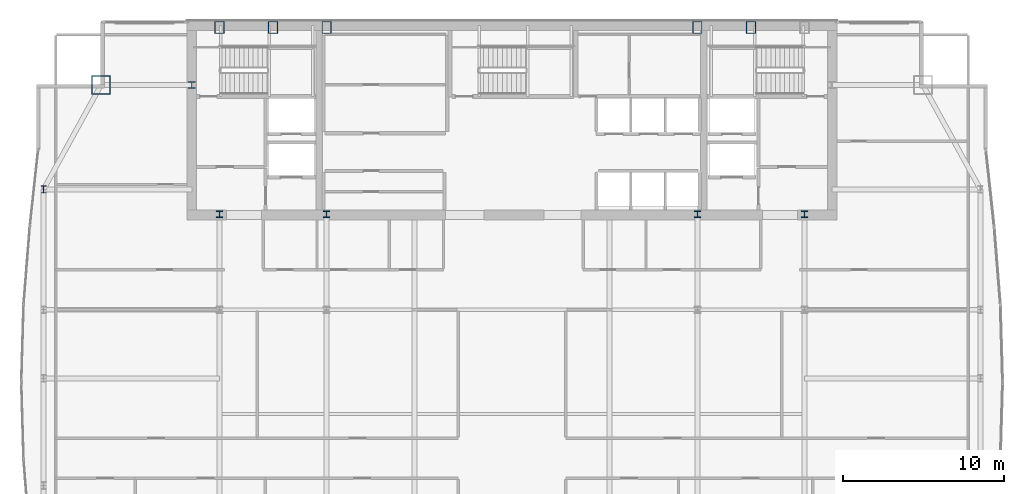
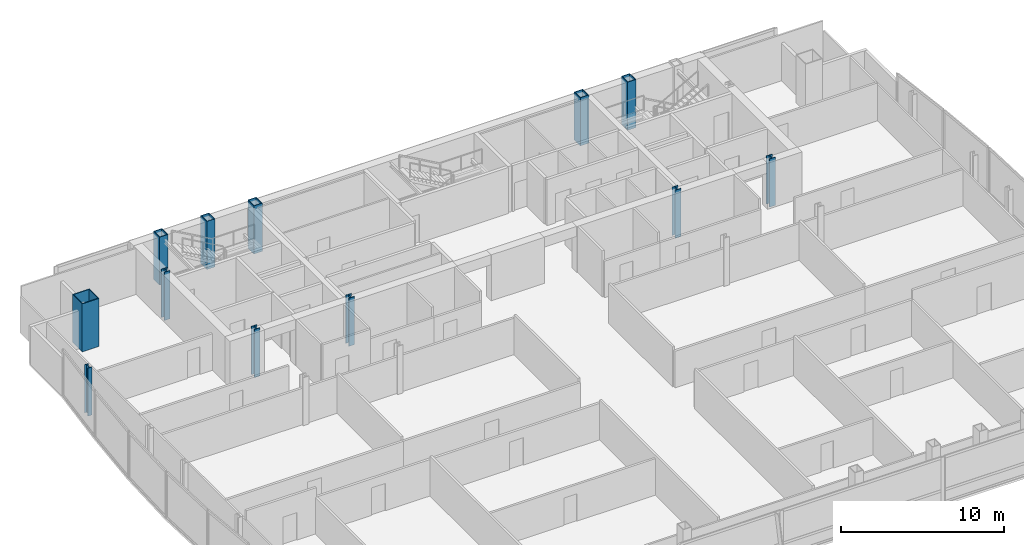
# One storey, part 3 of 32: 12 columns.
"""IFC4 building model written with IfcOpenShell, lengths in metres."""

from ifc_helpers import new_model, si_unit, direction, frame, origin, origin_2d, place, context, subcontext, project, spatial, hollow_rectangle, i_section, extrude, material, material_profile, profile_set, type_object, element, save


model = new_model("IFC4")

# Units and contexts
model_context = context("Model", 3, precision=1e-05, world=origin(), true_north=direction((0.0, 1.0)))
body_context = subcontext(model_context, "Body", "Model", "MODEL_VIEW")
ifc_project = project(units=[si_unit("LENGTHUNIT", "METRE"), si_unit("AREAUNIT", "SQUARE_METRE"), si_unit("VOLUMEUNIT", "CUBIC_METRE"), si_unit("PLANEANGLEUNIT", "RADIAN"), si_unit("MASSUNIT", "GRAM", prefix="KILO")], contexts=[model_context])

# Site, building, storey
site_placement = place(None, origin())
site = spatial("IfcSite", under=ifc_project, at=site_placement, CompositionType="ELEMENT")
building_placement = place(site_placement, origin())
building = spatial("IfcBuilding", under=site, at=building_placement, Name="Khoronbel Lancet Exchange", CompositionType="ELEMENT")
storey_placement = place(building_placement, frame((0.0, 0.0, 192.199951171875)))
storey = spatial("IfcBuildingStorey", under=building, at=storey_placement, Name="L48", CompositionType="ELEMENT", Elevation=192.199951171875)

# Columns
ifc_material_1 = material(Name="Steel S460", Category="steel")
ifc_material_profile_1 = material_profile(ifc_material_1, hollow_rectangle(XDim=0.60009765625, YDim=0.75, WallThickness=0.044921875, at=origin_2d()), Name="BOX 750x600x45")
ifc_profile_set_1 = profile_set([ifc_material_profile_1], Name="Steel S460")
column_type_1 = type_object("IfcColumnType", Name="COL-EC3", PredefinedType="COLUMN", material=ifc_profile_set_1)
for number, where, z_axis, x_axis, name in (
    (1, (18.22509765625, 53.280029296875, 0.0), (0.0, 0.0, 1.0), (1.0, 0.0, 0.0), "Structural column NC-W1 L48"),
    (2, (21.5625, 53.280029296875, 0.0), (0.0, 0.0, 1.0), (1.0, 0.0, 0.0), "Structural column NC-WM L48"),
    (3, (24.89990234375, 53.280029296875, 0.0), (0.0, 0.0, 1.0), (1.0, 0.0, 0.0), "Structural column NC-W2 L48"),
    (4, (48.0, 53.280029296875, 0.0), (0.0, 0.0, 1.0), (1.0, 0.0, 0.0), "Structural column NC-E1 L48"),
    (5, (51.33740234375, 53.280029296875, 0.0), (0.0, 0.0, 1.0), (1.0, 0.0, 0.0), "Structural column NC-EM L48"),
):
    element("IfcColumn", number, at=place(storey_placement, frame(where, z_axis=z_axis, x_axis=x_axis)), inside=storey, type_object=column_type_1, Name=name, PredefinedType="COLUMN", context=body_context, shape_type="SweptSolid", body=[
        extrude(hollow_rectangle(XDim=0.60009765625, YDim=0.75, WallThickness=0.044921875, at=origin_2d()), origin(), (0.0, 0.0, 1.0), 3.60009765625),
    ])
ifc_material_2 = material(Name="Steel S355", Category="steel")
ifc_material_profile_2 = material_profile(ifc_material_2, i_section(OverallWidth=0.406005859375, OverallDepth=0.416015625, WebThickness=0.02978515625, FlangeThickness=0.048095703125, at=origin_2d()), Name="HD 400x382")
ifc_profile_set_2 = profile_set([ifc_material_profile_2], Name="Steel S355")
column_type_2 = type_object("IfcColumnType", Name="COL-IC3", PredefinedType="COLUMN", material=ifc_profile_set_2)
for number, where, z_axis, x_axis, name in (
    (6, (16.5, 49.699951171875, 0.0), (0.0, 0.0, 1.0), (1.0, 0.0, 0.0), "Core-flank plumb transfer column CFW L48"),
    (7, (18.22509765625, 41.64990234375, 0.0), (0.0, 0.0, 1.0), (1.0, 0.0, 0.0), "Core-embedded steel column CTC1 L48"),
    (8, (24.89990234375, 41.64990234375, 0.0), (0.0, 0.0, 1.0), (1.0, 0.0, 0.0), "Core-embedded steel column CTC2 L48"),
    (9, (48.0, 41.64990234375, 0.0), (0.0, 0.0, 1.0), (1.0, 0.0, 0.0), "Core-embedded steel column CTC3 L48"),
    (10, (54.675048828125, 41.64990234375, 0.0), (0.0, 0.0, 1.0), (1.0, 0.0, 0.0), "Core-embedded steel column CTC4 L48"),
):
    element("IfcColumn", number, at=place(storey_placement, frame(where, z_axis=z_axis, x_axis=x_axis)), inside=storey, type_object=column_type_2, Name=name, PredefinedType="COLUMN", context=body_context, shape_type="SweptSolid", body=[
        extrude(i_section(OverallWidth=0.406005859375, OverallDepth=0.416015625, WebThickness=0.02978515625, FlangeThickness=0.048095703125, at=origin_2d()), origin(), (0.0, 0.0, 1.0), 3.60009765625),
    ])
ifc_material_profile_3 = material_profile(ifc_material_2, i_section(OverallWidth=0.300048828125, OverallDepth=0.449951171875, WebThickness=0.013916015625, FlangeThickness=0.02587890625, at=origin_2d()), Name="HEB 450")
ifc_profile_set_3 = profile_set([ifc_material_profile_3], Name="Steel S355")
column_type_3 = type_object("IfcColumnType", Name="COL-LC2", PredefinedType="COLUMN", material=ifc_profile_set_3)
column_1_placement = place(storey_placement, frame((7.27001953125, 43.199951171875, 0.0), z_axis=(0.0, 0.0, 1.0), x_axis=(1.0, 0.0, 0.0)))
element("IfcColumn", 11, at=column_1_placement, inside=storey, type_object=column_type_3, Name="Structural column WC-4 L48", PredefinedType="COLUMN", context=body_context, shape_type="SweptSolid", body=[
    extrude(i_section(OverallWidth=0.300048828125, OverallDepth=0.449951171875, WebThickness=0.013916015625, FlangeThickness=0.02587890625, at=origin_2d()), origin(), (0.0, 0.0, 1.0), 3.60009765625),
])
ifc_material_profile_4 = material_profile(ifc_material_1, hollow_rectangle(XDim=1.199951171875, YDim=1.199951171875, WallThickness=0.06005859375, at=origin_2d()), Name="BOX 1200x1200x60")
ifc_profile_set_4 = profile_set([ifc_material_profile_4], Name="Steel S460")
column_type_4 = type_object("IfcColumnType", Name="COL-MC5", PredefinedType="COLUMN", material=ifc_profile_set_4)
column_2_placement = place(storey_placement, frame((10.85009765625, 49.699951171875, 0.0), z_axis=(0.0, 0.0, 1.0), x_axis=(1.0, 0.0, 0.0)))
element("IfcColumn", 12, at=column_2_placement, inside=storey, type_object=column_type_4, Name="Structural column MC-NW L48", PredefinedType="COLUMN", context=body_context, shape_type="SweptSolid", body=[
    extrude(hollow_rectangle(XDim=1.199951171875, YDim=1.199951171875, WallThickness=0.06005859375, at=origin_2d()), origin(), (0.0, 0.0, 1.0), 3.60009765625),
])

save(model, "model.ifc")
